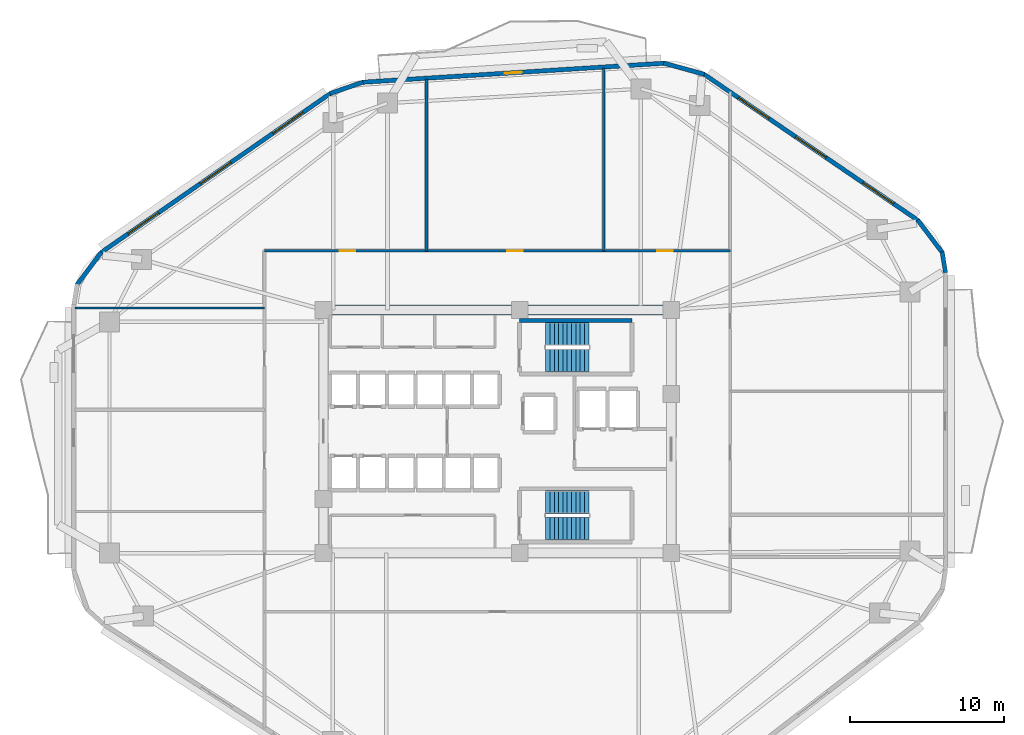
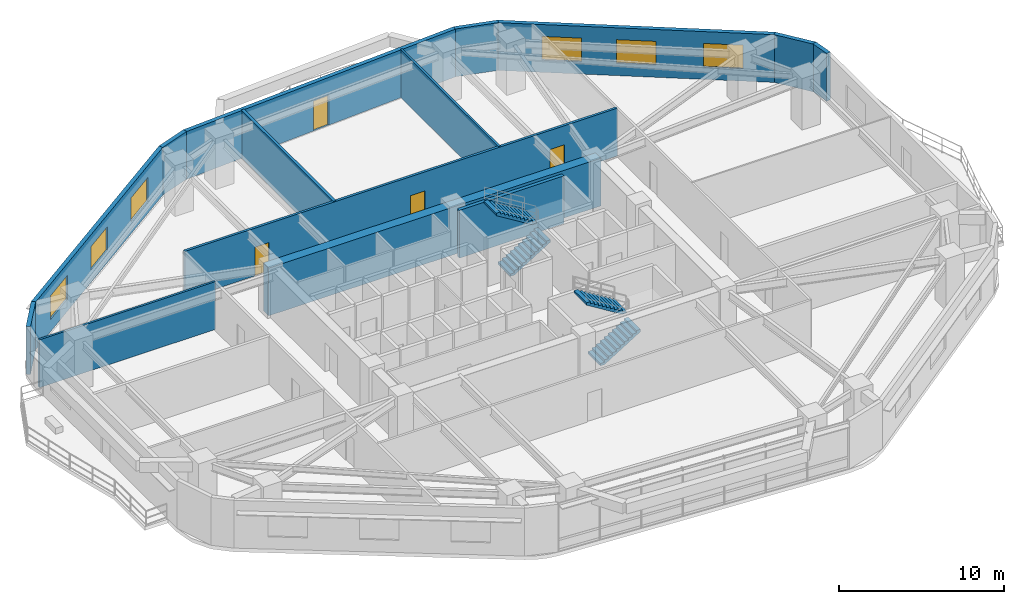
# One storey, part 10 of 13: 14 walls, 6 windows, 4 doors, 4 stair flights, 10 openings, 2 elements without a shape of their own.
"""IFC4 building model written with IfcOpenShell, lengths in metres."""

from ifc_helpers import new_model, si_unit, direction, frame, frame_2d, origin, place, context, subcontext, project, spatial, polyline, rectangle, outline, extrude, material, layer, layer_set, type_object, element, fill, aggregate, save


model = new_model("IFC4")

# Units and contexts
model_context = context("Model", 3, precision=1e-05, world=origin(), true_north=direction((0.0, 1.0)))
body_context = subcontext(model_context, "Body", "Model", "MODEL_VIEW")
ifc_project = project(units=[si_unit("LENGTHUNIT", "METRE"), si_unit("AREAUNIT", "SQUARE_METRE"), si_unit("VOLUMEUNIT", "CUBIC_METRE"), si_unit("PLANEANGLEUNIT", "RADIAN"), si_unit("MASSUNIT", "GRAM", prefix="KILO")], contexts=[model_context])

# Site, building, storey
site_placement = place(None, origin())
site = spatial("IfcSite", under=ifc_project, at=site_placement, CompositionType="ELEMENT")
building_placement = place(site_placement, origin())
building = spatial("IfcBuilding", under=site, at=building_placement, Name="Zulverin Broadcast Headquarters", CompositionType="ELEMENT")
storey_placement = place(building_placement, frame((0.0, 0.0, 47.800048828125)))
storey = spatial("IfcBuildingStorey", under=building, at=storey_placement, Name="L11", CompositionType="ELEMENT", Elevation=47.800048828125)

# Walls
ifc_material_1 = material(Name="Acoustic drywall steel stud", Category="steel")
ifc_layer_1 = layer(ifc_material_1, 0.199951171875, Name="Acoustic drywall steel stud", Category="steel")
ifc_layer_set_1 = layer_set([ifc_layer_1], Name="Acoustic drywall steel stud")
wall_type_1 = type_object("IfcWallType", Name="WL-ACOU-200", PredefinedType="PARTITIONING", material=ifc_layer_set_1)
wall_1_placement = place(storey_placement, frame((32.39990234375, 36.90087890625, 0.0), z_axis=(0.0, 0.0, 1.0), x_axis=(0.0, 1.0, 0.0)))
element("IfcWall", 1, at=wall_1_placement, inside=storey, type_object=wall_type_1, Name="L11 Room Partition Wall RP-03", PredefinedType="PARTITIONING", context=body_context, shape_type="SweptSolid", body=[
    extrude(rectangle(XDim=11.130615234375, YDim=0.199951171875, at=frame_2d((5.5654296875, 0.0))), origin(), (0.0, 0.0, 1.0), 3.52490234375),
])
ifc_material_2 = material(Name="Concrete C60/75", Category="concrete")
ifc_layer_2 = layer(ifc_material_2, 0.64990234375, Name="Concrete C60/75", Category="concrete")
ifc_layer_set_2 = layer_set([ifc_layer_2], Name="Concrete C60/75")
wall_type_2 = type_object("IfcWallType", Name="WL-CORE-650", PredefinedType="SHEAR", material=ifc_layer_set_2)
wall_2_placement = place(storey_placement, frame((25.39990234375, 33.074951171875, 0.0), z_axis=(0.0, 0.0, 1.0), x_axis=(1.0, 0.0, 0.0)))
element("IfcWall", 2, at=wall_2_placement, inside=storey, type_object=wall_type_2, Name="L11 Core North Shear Wall", PredefinedType="SHEAR", context=body_context, shape_type="SweptSolid", body=[
    extrude(rectangle(XDim=23.2001953125, YDim=0.64990234375, at=frame_2d((11.60009765625, 0.0))), origin(), (0.0, 0.0, 1.0), 3.52490234375),
])

# Wall, openings, windows
ifc_material_3 = material(Name="Insulated pale-metal clad concrete spandrel C40/50", Category="concrete")
ifc_layer_3 = layer(ifc_material_3, 0.280029296875, Name="Insulated pale-metal clad concrete spandrel C40/50", Category="concrete")
ifc_layer_set_3 = layer_set([ifc_layer_3], Name="Insulated pale-metal clad concrete spandrel C40/50")
wall_type_3 = type_object("IfcWallType", Name="WL-EXT-280", PredefinedType="STANDARD", material=ifc_layer_set_3)
wall_3_placement = place(storey_placement, frame((64.289794921875, 38.8671875, 0.0), z_axis=(0.0, 0.0, 1.0), x_axis=(-0.825755550159, 0.564028165416, 0.0)))
wall_3 = element("IfcWall", 3, at=wall_3_placement, inside=storey, type_object=wall_type_3, Name="L11 Pale-Metal Clad Spandrel Wall 4", PredefinedType="STANDARD", context=body_context, shape_type="SweptSolid", body=[
    extrude(rectangle(XDim=16.848388671875, YDim=0.280029296875, at=frame_2d((8.42431640625, 0.0))), origin(), (0.0, 0.0, 1.0), 3.52490234375),
])
opening_1_placement = place(wall_3_placement, frame((1.94140625, 0.0, 0.89990234375)))
opening_1 = element("IfcOpeningElement", 4, at=opening_1_placement, cuts=wall_3, Name="Opening W-L11-E41", PredefinedType="OPENING", context=body_context, shape_type="SweptSolid", body=[
    extrude(rectangle(XDim=2.39990234375, YDim=1.75, at=frame_2d((1.199951171875, 0.875))), frame((0.0, 0.14990234375, 0.0), z_axis=(0.0, -1.0, 0.0), x_axis=(1.0, 0.0, 0.0)), (0.0, 0.0, 1.0), 0.300048828125),
])
opening_2_placement = place(wall_3_placement, frame((7.22412109375, 0.0, 0.89990234375)))
opening_2 = element("IfcOpeningElement", 5, at=opening_2_placement, cuts=wall_3, Name="Opening W-L11-E42", PredefinedType="OPENING", context=body_context, shape_type="SweptSolid", body=[
    extrude(rectangle(XDim=2.39990234375, YDim=1.75, at=frame_2d((1.199951171875, 0.875))), frame((0.0, 0.14990234375, 0.0), z_axis=(0.0, -1.0, 0.0), x_axis=(1.0, 0.0, 0.0)), (0.0, 0.0, 1.0), 0.300048828125),
])
opening_3_placement = place(wall_3_placement, frame((11.726806640625, 0.0, 0.89990234375)))
opening_3 = element("IfcOpeningElement", 6, at=opening_3_placement, cuts=wall_3, Name="Opening W-L11-E43", PredefinedType="OPENING", context=body_context, shape_type="SweptSolid", body=[
    extrude(rectangle(XDim=2.39990234375, YDim=1.75, at=frame_2d((1.199951171875, 0.875))), frame((0.0, 0.14990234375, 0.0), z_axis=(0.0, -1.0, 0.0), x_axis=(1.0, 0.0, 0.0)), (0.0, 0.0, 1.0), 0.300048828125),
])
ifc_material_4 = material(Name="Pale anodized aluminium frame with solar-control low-E double glazing", Category="aluminium")
window_type = type_object("IfcWindowType", Name="WIN-RIB-2400", PartitioningType="SINGLE_PANEL", PredefinedType="WINDOW", material=ifc_material_4)
window_1_placement = place(opening_1_placement, origin())
window_1 = element("IfcWindow", 7, at=window_1_placement, inside=storey, type_object=window_type, Name="L11 Ribbon Glazing Window 4 1", OverallHeight=1.75, OverallWidth=2.39990234375, PartitioningType="SINGLE_PANEL", PredefinedType="WINDOW", context=body_context, shape_type="SweptSolid", body=[
    extrude(rectangle(XDim=2.39990234375, YDim=1.75, at=frame_2d((1.199951171875, 0.875))), frame((0.0, 0.030029296875, 0.0), z_axis=(0.0, -1.0, 0.0), x_axis=(1.0, 0.0, 0.0)), (0.0, 0.0, 1.0), 0.06005859375),
])
fill(opening_1, window_1)
window_2_placement = place(opening_2_placement, origin())
window_2 = element("IfcWindow", 8, at=window_2_placement, inside=storey, type_object=window_type, Name="L11 Ribbon Glazing Window 4 2", OverallHeight=1.75, OverallWidth=2.39990234375, PartitioningType="SINGLE_PANEL", PredefinedType="WINDOW", context=body_context, shape_type="SweptSolid", body=[
    extrude(rectangle(XDim=2.39990234375, YDim=1.75, at=frame_2d((1.199951171875, 0.875))), frame((0.0, 0.030029296875, 0.0), z_axis=(0.0, -1.0, 0.0), x_axis=(1.0, 0.0, 0.0)), (0.0, 0.0, 1.0), 0.06005859375),
])
fill(opening_2, window_2)
window_3_placement = place(opening_3_placement, origin())
window_3 = element("IfcWindow", 9, at=window_3_placement, inside=storey, type_object=window_type, Name="L11 Ribbon Glazing Window 4 3", OverallHeight=1.75, OverallWidth=2.39990234375, PartitioningType="SINGLE_PANEL", PredefinedType="WINDOW", context=body_context, shape_type="SweptSolid", body=[
    extrude(rectangle(XDim=2.39990234375, YDim=1.75, at=frame_2d((1.199951171875, 0.875))), frame((0.0, 0.030029296875, 0.0), z_axis=(0.0, -1.0, 0.0), x_axis=(1.0, 0.0, 0.0)), (0.0, 0.0, 1.0), 0.06005859375),
])
fill(opening_3, window_3)

# Wall, opening, door
wall_4_placement = place(storey_placement, frame((47.831787109375, 49.0693359375, 0.0), z_axis=(0.0, 0.0, 1.0), x_axis=(-0.998017725054, -0.062933460723, 0.0)))
wall_4 = element("IfcWall", 10, at=wall_4_placement, inside=storey, type_object=wall_type_3, Name="L11 Pale-Metal Clad Spandrel Wall 5", PredefinedType="STANDARD", context=body_context, shape_type="SweptSolid", body=[
    extrude(rectangle(XDim=19.62939453125, YDim=0.280029296875, at=frame_2d((9.814697265625, 0.0))), origin(), (0.0, 0.0, 1.0), 3.52490234375),
])
opening_4_placement = place(wall_4_placement, frame((9.264892578125, 0.0, 0.0)))
opening_4 = element("IfcOpeningElement", 11, at=opening_4_placement, cuts=wall_4, Name="Opening D-L11-TR5", PredefinedType="OPENING", context=body_context, shape_type="SweptSolid", body=[
    extrude(rectangle(XDim=1.10009765625, YDim=2.199951171875, at=frame_2d((0.550048828125, 1.10009765625))), frame((0.0, 0.14990234375, 0.0), z_axis=(0.0, -1.0, 0.0), x_axis=(1.0, 0.0, 0.0)), (0.0, 0.0, 1.0), 0.300048828125),
])
ifc_material_5 = material(Name="Thermally broken aluminium glazed", Category="aluminium")
door_type_1 = type_object("IfcDoorType", Name="DR-TERR-1100", OperationType="SINGLE_SWING_RIGHT", PredefinedType="DOOR", material=ifc_material_5)
door_1_placement = place(opening_4_placement, origin())
door_1 = element("IfcDoor", 12, at=door_1_placement, inside=storey, type_object=door_type_1, Name="L11 Planted Terrace Glazed Access Door 5", OperationType="SINGLE_SWING_RIGHT", OverallHeight=2.199951171875, OverallWidth=1.10009765625, PredefinedType="DOOR", context=body_context, shape_type="SweptSolid", body=[
    extrude(rectangle(XDim=1.10009765625, YDim=2.199951171875, at=frame_2d((0.550048828125, 1.10009765625))), frame((0.0, 0.02490234375, 0.0), z_axis=(0.0, -1.0, 0.0), x_axis=(1.0, 0.0, 0.0)), (0.0, 0.0, 1.0), 0.050048828125),
])
fill(opening_4, door_1)

# Wall, openings, windows
wall_5_placement = place(storey_placement, frame((26.181884765625, 47.11767578125, 0.0), z_axis=(0.0, 0.0, 1.0), x_axis=(-0.821547956627, -0.570139417127, 0.0)))
wall_5 = element("IfcWall", 13, at=wall_5_placement, inside=storey, type_object=wall_type_3, Name="L11 Pale-Metal Clad Spandrel Wall 6", PredefinedType="STANDARD", context=body_context, shape_type="SweptSolid", body=[
    extrude(rectangle(XDim=18.13232421875, YDim=0.280029296875, at=frame_2d((9.066162109375, 0.0))), origin(), (0.0, 0.0, 1.0), 3.52490234375),
])
opening_5_placement = place(wall_5_placement, frame((2.155517578125, 0.0, 0.89990234375)))
opening_5 = element("IfcOpeningElement", 14, at=opening_5_placement, cuts=wall_5, Name="Opening W-L11-E61", PredefinedType="OPENING", context=body_context, shape_type="SweptSolid", body=[
    extrude(rectangle(XDim=2.39990234375, YDim=1.75, at=frame_2d((1.199951171875, 0.875))), frame((0.0, 0.14990234375, 0.0), z_axis=(0.0, -1.0, 0.0), x_axis=(1.0, 0.0, 0.0)), (0.0, 0.0, 1.0), 0.300048828125),
])
opening_6_placement = place(wall_5_placement, frame((7.8662109375, 0.0, 0.89990234375)))
opening_6 = element("IfcOpeningElement", 15, at=opening_6_placement, cuts=wall_5, Name="Opening W-L11-E62", PredefinedType="OPENING", context=body_context, shape_type="SweptSolid", body=[
    extrude(rectangle(XDim=2.39990234375, YDim=1.75, at=frame_2d((1.199951171875, 0.875))), frame((0.0, 0.14990234375, 0.0), z_axis=(0.0, -1.0, 0.0), x_axis=(1.0, 0.0, 0.0)), (0.0, 0.0, 1.0), 0.300048828125),
])
opening_7_placement = place(wall_5_placement, frame((13.576904296875, 0.0, 0.89990234375)))
opening_7 = element("IfcOpeningElement", 16, at=opening_7_placement, cuts=wall_5, Name="Opening W-L11-E63", PredefinedType="OPENING", context=body_context, shape_type="SweptSolid", body=[
    extrude(rectangle(XDim=2.39990234375, YDim=1.75, at=frame_2d((1.199951171875, 0.875))), frame((0.0, 0.14990234375, 0.0), z_axis=(0.0, -1.0, 0.0), x_axis=(1.0, 0.0, 0.0)), (0.0, 0.0, 1.0), 0.300048828125),
])
window_4_placement = place(opening_5_placement, origin())
window_4 = element("IfcWindow", 17, at=window_4_placement, inside=storey, type_object=window_type, Name="L11 Ribbon Glazing Window 6 1", OverallHeight=1.75, OverallWidth=2.39990234375, PartitioningType="SINGLE_PANEL", PredefinedType="WINDOW", context=body_context, shape_type="SweptSolid", body=[
    extrude(rectangle(XDim=2.39990234375, YDim=1.75, at=frame_2d((1.199951171875, 0.875))), frame((0.0, 0.030029296875, 0.0), z_axis=(0.0, -1.0, 0.0), x_axis=(1.0, 0.0, 0.0)), (0.0, 0.0, 1.0), 0.06005859375),
])
fill(opening_5, window_4)
window_5_placement = place(opening_6_placement, origin())
window_5 = element("IfcWindow", 18, at=window_5_placement, inside=storey, type_object=window_type, Name="L11 Ribbon Glazing Window 6 2", OverallHeight=1.75, OverallWidth=2.39990234375, PartitioningType="SINGLE_PANEL", PredefinedType="WINDOW", context=body_context, shape_type="SweptSolid", body=[
    extrude(rectangle(XDim=2.39990234375, YDim=1.75, at=frame_2d((1.199951171875, 0.875))), frame((0.0, 0.030029296875, 0.0), z_axis=(0.0, -1.0, 0.0), x_axis=(1.0, 0.0, 0.0)), (0.0, 0.0, 1.0), 0.06005859375),
])
fill(opening_6, window_5)
window_6_placement = place(opening_7_placement, origin())
window_6 = element("IfcWindow", 19, at=window_6_placement, inside=storey, type_object=window_type, Name="L11 Ribbon Glazing Window 6 3", OverallHeight=1.75, OverallWidth=2.39990234375, PartitioningType="SINGLE_PANEL", PredefinedType="WINDOW", context=body_context, shape_type="SweptSolid", body=[
    extrude(rectangle(XDim=2.39990234375, YDim=1.75, at=frame_2d((1.199951171875, 0.875))), frame((0.0, 0.030029296875, 0.0), z_axis=(0.0, -1.0, 0.0), x_axis=(1.0, 0.0, 0.0)), (0.0, 0.0, 1.0), 0.06005859375),
])
fill(opening_7, window_6)

# Walls
wall_6_placement = place(storey_placement, frame((66.061767578125, 35.491943359375, 0.0), z_axis=(0.0, 0.0, 1.0), x_axis=(-0.161182073582, 0.986924687682, 0.0)))
element("IfcWall", 20, at=wall_6_placement, inside=storey, type_object=wall_type_3, Name="L11 Wind-Shaped Corner Spandrel Wall 3-1", PredefinedType="STANDARD", context=body_context, shape_type="SweptSolid", body=[
    extrude(rectangle(XDim=1.354248046875, YDim=0.280029296875, at=frame_2d((0.67724609375, 0.0))), origin(), (0.0, 0.0, 1.0), 3.52490234375),
])
wall_7_placement = place(storey_placement, frame((65.8701171875, 36.7666015625, 0.0), z_axis=(0.0, 0.0, 1.0), x_axis=(-0.603370463754, 0.797461023166, 0.0)))
element("IfcWall", 21, at=wall_7_placement, inside=storey, type_object=wall_type_3, Name="L11 Wind-Shaped Corner Spandrel Wall 3-2", PredefinedType="STANDARD", context=body_context, shape_type="SweptSolid", body=[
    extrude(rectangle(XDim=2.6728515625, YDim=0.280029296875, at=frame_2d((1.33642578125, 0.0))), origin(), (0.0, 0.0, 1.0), 3.52490234375),
])
wall_8_placement = place(storey_placement, frame((50.419189453125, 48.3505859375, 0.0), z_axis=(0.0, 0.0, 1.0), x_axis=(-0.964254516967, 0.264977784933, 0.0)))
element("IfcWall", 22, at=wall_8_placement, inside=storey, type_object=wall_type_3, Name="L11 Wind-Shaped Corner Spandrel Wall 4-1", PredefinedType="STANDARD", context=body_context, shape_type="SweptSolid", body=[
    extrude(rectangle(XDim=2.73095703125, YDim=0.280029296875, at=frame_2d((1.365478515625, 0.0))), origin(), (0.0, 0.0, 1.0), 3.52490234375),
])
wall_9_placement = place(storey_placement, frame((28.2783203125, 47.841552734375, 0.0), z_axis=(0.0, 0.0, 1.0), x_axis=(-0.9444559001, -0.328638179106, 0.0)))
element("IfcWall", 23, at=wall_9_placement, inside=storey, type_object=wall_type_3, Name="L11 Wind-Shaped Corner Spandrel Wall 5-1", PredefinedType="STANDARD", context=body_context, shape_type="SweptSolid", body=[
    extrude(rectangle(XDim=2.25537109375, YDim=0.280029296875, at=frame_2d((1.127685546875, 0.0))), origin(), (0.0, 0.0, 1.0), 3.52490234375),
])
wall_10_placement = place(storey_placement, frame((11.317626953125, 36.81103515625, 0.0), z_axis=(0.0, 0.0, 1.0), x_axis=(-0.599455152629, -0.800408345775, 0.0)))
element("IfcWall", 24, at=wall_10_placement, inside=storey, type_object=wall_type_3, Name="L11 Wind-Shaped Corner Spandrel Wall 6-1", PredefinedType="STANDARD", context=body_context, shape_type="SweptSolid", body=[
    extrude(rectangle(XDim=2.6533203125, YDim=0.280029296875, at=frame_2d((1.32666015625, 0.0))), origin(), (0.0, 0.0, 1.0), 3.52490234375),
])
ifc_material_6 = material(Name="Fire-rated gypsum stud partition", Category="gypsum")
ifc_layer_4 = layer(ifc_material_6, 0.14990234375, Name="Fire-rated gypsum stud partition", Category="gypsum")
ifc_layer_set_4 = layer_set([ifc_layer_4], Name="Fire-rated gypsum stud partition")
wall_type_4 = type_object("IfcWallType", Name="WL-PART-150", PredefinedType="PARTITIONING", material=ifc_layer_set_4)
wall_11_placement = place(storey_placement, frame((43.89990234375, 36.89990234375, 0.0), z_axis=(0.0, 0.0, 1.0), x_axis=(0.0, 1.0, 0.0)))
element("IfcWall", 25, at=wall_11_placement, inside=storey, type_object=wall_type_4, Name="L11 Room Partition Wall RP-02", PredefinedType="PARTITIONING", context=body_context, shape_type="SweptSolid", body=[
    extrude(rectangle(XDim=11.856689453125, YDim=0.14990234375, at=frame_2d((5.92822265625, 0.0))), origin(), (0.0, 0.0, 1.0), 3.52490234375),
])
wall_12_placement = place(storey_placement, frame((9.60498046875, 33.199951171875, 0.0), z_axis=(0.0, 0.0, 1.0), x_axis=(1.0, 0.0, 0.0)))
element("IfcWall", 26, at=wall_12_placement, inside=storey, type_object=wall_type_4, Name="L11 Room Partition Wall RP-11", PredefinedType="PARTITIONING", context=body_context, shape_type="SweptSolid", body=[
    extrude(rectangle(XDim=12.2939453125, YDim=0.14990234375, at=frame_2d((6.14697265625, 0.0))), origin(), (0.0, 0.0, 1.0), 3.52490234375),
])

# Wall, openings, doors
ifc_material_7 = material(Name="Fire-rated acoustic stud wall", Category="gypsum")
ifc_layer_5 = layer(ifc_material_7, 0.175048828125, Name="Fire-rated acoustic stud wall", Category="gypsum")
ifc_layer_set_5 = layer_set([ifc_layer_5], Name="Fire-rated acoustic stud wall")
wall_type_5 = type_object("IfcWallType", Name="WL-PART-175", PredefinedType="PARTITIONING", material=ifc_layer_set_5)
wall_13_placement = place(storey_placement, frame((21.89990234375, 36.89990234375, 0.0), z_axis=(0.0, 0.0, 1.0), x_axis=(1.0, 0.0, 0.0)))
wall_13 = element("IfcWall", 27, at=wall_13_placement, inside=storey, type_object=wall_type_5, Name="L11 Gallery Partition Wall CG-12", PredefinedType="PARTITIONING", context=body_context, shape_type="SweptSolid", body=[
    extrude(rectangle(XDim=30.2001953125, YDim=0.175048828125, at=frame_2d((15.10009765625, 0.0))), origin(), (0.0, 0.0, 1.0), 3.52490234375),
])
opening_8_placement = place(wall_13_placement, frame((4.8701171875, 0.0, 0.0)))
opening_8 = element("IfcOpeningElement", 28, at=opening_8_placement, cuts=wall_13, Name="Opening D-L11-01", PredefinedType="OPENING", context=body_context, shape_type="SweptSolid", body=[
    extrude(rectangle(XDim=1.0, YDim=2.1201171875, at=frame_2d((0.5, 1.06005859375))), frame((0.0, 0.097412109375, 0.0), z_axis=(0.0, -1.0, 0.0), x_axis=(1.0, 0.0, 0.0)), (0.0, 0.0, 1.0), 0.195068359375),
])
opening_9_placement = place(wall_13_placement, frame((15.75, 0.0, 0.0)))
opening_9 = element("IfcOpeningElement", 29, at=opening_9_placement, cuts=wall_13, Name="Opening D-L11-02", PredefinedType="OPENING", context=body_context, shape_type="SweptSolid", body=[
    extrude(rectangle(XDim=1.0, YDim=2.1201171875, at=frame_2d((0.5, 1.06005859375))), frame((0.0, 0.097412109375, 0.0), z_axis=(0.0, -1.0, 0.0), x_axis=(1.0, 0.0, 0.0)), (0.0, 0.0, 1.0), 0.195068359375),
])
opening_10_placement = place(wall_13_placement, frame((25.47998046875, 0.0, 0.0)))
opening_10 = element("IfcOpeningElement", 30, at=opening_10_placement, cuts=wall_13, Name="Opening D-L11-03", PredefinedType="OPENING", context=body_context, shape_type="SweptSolid", body=[
    extrude(rectangle(XDim=1.0, YDim=2.1201171875, at=frame_2d((0.5, 1.06005859375))), frame((0.0, 0.097412109375, 0.0), z_axis=(0.0, -1.0, 0.0), x_axis=(1.0, 0.0, 0.0)), (0.0, 0.0, 1.0), 0.195068359375),
])
ifc_material_8 = material(Name="Hardwood veneer acoustic leaf", Category="wood")
door_type_2 = type_object("IfcDoorType", Name="DR-OFF-1000", OperationType="SINGLE_SWING_LEFT", PredefinedType="DOOR", material=ifc_material_8)
door_2_placement = place(opening_8_placement, origin())
door_2 = element("IfcDoor", 31, at=door_2_placement, inside=storey, type_object=door_type_2, Name="L11 Correspondent Office Door", OperationType="SINGLE_SWING_RIGHT", OverallHeight=2.1201171875, OverallWidth=1.0, PredefinedType="DOOR", context=body_context, shape_type="SweptSolid", body=[
    extrude(rectangle(XDim=1.0, YDim=2.1201171875, at=frame_2d((0.5, 1.06005859375))), frame((0.0, 0.02490234375, 0.0), z_axis=(0.0, -1.0, 0.0), x_axis=(1.0, 0.0, 0.0)), (0.0, 0.0, 1.0), 0.050048828125),
])
fill(opening_8, door_2)
door_3_placement = place(opening_9_placement, origin())
door_3 = element("IfcDoor", 32, at=door_3_placement, inside=storey, type_object=door_type_2, Name="L11 Producer Office Door", OperationType="SINGLE_SWING_LEFT", OverallHeight=2.1201171875, OverallWidth=1.0, PredefinedType="DOOR", context=body_context, shape_type="SweptSolid", body=[
    extrude(rectangle(XDim=1.0, YDim=2.1201171875, at=frame_2d((0.5, 1.06005859375))), frame((0.0, 0.02490234375, 0.0), z_axis=(0.0, -1.0, 0.0), x_axis=(1.0, 0.0, 0.0)), (0.0, 0.0, 1.0), 0.050048828125),
])
fill(opening_9, door_3)
door_4_placement = place(opening_10_placement, origin())
door_4 = element("IfcDoor", 33, at=door_4_placement, inside=storey, type_object=door_type_2, Name="L11 Assignment Office Door", OperationType="SINGLE_SWING_RIGHT", OverallHeight=2.1201171875, OverallWidth=1.0, PredefinedType="DOOR", context=body_context, shape_type="SweptSolid", body=[
    extrude(rectangle(XDim=1.0, YDim=2.1201171875, at=frame_2d((0.5, 1.06005859375))), frame((0.0, 0.02490234375, 0.0), z_axis=(0.0, -1.0, 0.0), x_axis=(1.0, 0.0, 0.0)), (0.0, 0.0, 1.0), 0.050048828125),
])
fill(opening_10, door_4)

# Wall
ifc_material_9 = material(Name="Concrete C50/60", Category="concrete")
ifc_layer_6 = layer(ifc_material_9, 0.25, Name="Concrete C50/60", Category="concrete")
ifc_layer_set_6 = layer_set([ifc_layer_6], Name="Concrete C50/60")
wall_type_6 = type_object("IfcWallType", Name="WL-SHAFT-250", PredefinedType="SHEAR", material=ifc_layer_set_6)
wall_14_placement = place(storey_placement, frame((38.425048828125, 32.375, 0.0), z_axis=(0.0, 0.0, 1.0), x_axis=(1.0, 0.0, 0.0)))
element("IfcWall", 34, at=wall_14_placement, inside=storey, type_object=wall_type_6, Name="L11 ST-1 Enclosure Wall N", PredefinedType="SHEAR", context=body_context, shape_type="SweptSolid", body=[
    extrude(rectangle(XDim=7.300048828125, YDim=0.25, at=frame_2d((3.64990234375, 0.0))), origin(), (0.0, 0.0, 1.0), 3.52490234375),
])

# Stair, stair flights
ifc_material_10 = material(Name="Concrete C40/50", Category="concrete")
stair_type = type_object("IfcStairType", Name="ST-CORE-1500", PredefinedType="HALF_TURN_STAIR", material=ifc_material_10)
stair_1_placement = place(storey_placement, origin())
stair_1 = element("IfcStair", 35, at=stair_1_placement, inside=storey, type_object=stair_type, Name="L11 Core Exit Stair ST-1", PredefinedType="HALF_TURN_STAIR")
stair_flight_type = type_object("IfcStairFlightType", Name="SF-CORE-1500", PredefinedType="STRAIGHT", material=ifc_material_10)
stair_flight_1_placement = place(storey_placement, frame((40.1298828125, 29.800048828125, 0.0), z_axis=(0.0, 0.0, 1.0), x_axis=(1.0, 0.0, 0.0)))
stair_flight_1 = element("IfcStairFlight", 36, at=stair_flight_1_placement, type_object=stair_flight_type, Name="ST-1 flight 1", NumberOfRisers=11, NumberOfTreads=10, PredefinedType="STRAIGHT", RiserHeight=0.172727273, TreadLength=0.28, context=body_context, shape_type="SweptSolid", body=[
    extrude(outline(polyline([(0.0, 0.0), (0.0, 0.172607421875), (0.280029296875, 0.172607421875), (0.280029296875, 0.345458984375), (0.56005859375, 0.345458984375), (0.56005859375, 0.51806640625), (0.840087890625, 0.51806640625), (0.840087890625, 0.69091796875), (1.1201171875, 0.69091796875), (1.1201171875, 0.863525390625), (1.39990234375, 0.863525390625), (1.39990234375, 1.036376953125), (1.679931640625, 1.036376953125), (1.679931640625, 1.208984375), (1.9599609375, 1.208984375), (1.9599609375, 1.3818359375), (2.239990234375, 1.3818359375), (2.239990234375, 1.554443359375), (2.52001953125, 1.554443359375), (2.52001953125, 1.727294921875), (2.800048828125, 1.727294921875), (2.800048828125, 1.89990234375), (2.800048828125, 1.551025390625), (0.285400390625, 0.0), (0.0, 0.0)])), frame((0.0, 0.75, 0.0), z_axis=(0.0, -1.0, 0.0), x_axis=(1.0, 0.0, 0.0)), (0.0, 0.0, 1.0), 1.5),
])
stair_flight_2_placement = place(storey_placement, frame((42.929931640625, 31.5, 1.89990234375), z_axis=(0.0, 0.0, 1.0), x_axis=(-1.0, 0.0, 0.0)))
stair_flight_2 = element("IfcStairFlight", 37, at=stair_flight_2_placement, type_object=stair_flight_type, Name="ST-1 flight 2", NumberOfRisers=11, NumberOfTreads=10, PredefinedType="STRAIGHT", RiserHeight=0.172727273, TreadLength=0.28, context=body_context, shape_type="SweptSolid", body=[
    extrude(outline(polyline([(0.0, 0.0), (0.0, 0.172607421875), (0.280029296875, 0.172607421875), (0.280029296875, 0.345458984375), (0.56005859375, 0.345458984375), (0.56005859375, 0.51806640625), (0.840087890625, 0.51806640625), (0.840087890625, 0.69091796875), (1.1201171875, 0.69091796875), (1.1201171875, 0.863525390625), (1.39990234375, 0.863525390625), (1.39990234375, 1.036376953125), (1.679931640625, 1.036376953125), (1.679931640625, 1.208984375), (1.9599609375, 1.208984375), (1.9599609375, 1.3818359375), (2.239990234375, 1.3818359375), (2.239990234375, 1.554443359375), (2.52001953125, 1.554443359375), (2.52001953125, 1.727294921875), (2.800048828125, 1.727294921875), (2.800048828125, 1.89990234375), (2.800048828125, 1.551025390625), (0.285400390625, 0.0), (0.0, 0.0)])), frame((0.0, 0.75, 0.0), z_axis=(0.0, -1.0, 0.0), x_axis=(1.0, 0.0, 0.0)), (0.0, 0.0, 1.0), 1.5),
])
aggregate(stair_1, [stair_flight_1, stair_flight_2])

stair_2_placement = place(storey_placement, origin())
stair_2 = element("IfcStair", 38, at=stair_2_placement, inside=storey, type_object=stair_type, Name="L11 Core Exit Stair ST-2", PredefinedType="HALF_TURN_STAIR")
stair_flight_3_placement = place(storey_placement, frame((40.1298828125, 18.89990234375, 0.0), z_axis=(0.0, 0.0, 1.0), x_axis=(1.0, 0.0, 0.0)))
stair_flight_3 = element("IfcStairFlight", 39, at=stair_flight_3_placement, type_object=stair_flight_type, Name="ST-2 flight 1", NumberOfRisers=11, NumberOfTreads=10, PredefinedType="STRAIGHT", RiserHeight=0.172727273, TreadLength=0.28, context=body_context, shape_type="SweptSolid", body=[
    extrude(outline(polyline([(0.0, 0.0), (0.0, 0.172607421875), (0.280029296875, 0.172607421875), (0.280029296875, 0.345458984375), (0.56005859375, 0.345458984375), (0.56005859375, 0.51806640625), (0.840087890625, 0.51806640625), (0.840087890625, 0.69091796875), (1.1201171875, 0.69091796875), (1.1201171875, 0.863525390625), (1.39990234375, 0.863525390625), (1.39990234375, 1.036376953125), (1.679931640625, 1.036376953125), (1.679931640625, 1.208984375), (1.9599609375, 1.208984375), (1.9599609375, 1.3818359375), (2.239990234375, 1.3818359375), (2.239990234375, 1.554443359375), (2.52001953125, 1.554443359375), (2.52001953125, 1.727294921875), (2.800048828125, 1.727294921875), (2.800048828125, 1.89990234375), (2.800048828125, 1.551025390625), (0.285400390625, 0.0), (0.0, 0.0)])), frame((0.0, 0.75, 0.0), z_axis=(0.0, -1.0, 0.0), x_axis=(1.0, 0.0, 0.0)), (0.0, 0.0, 1.0), 1.5),
])
stair_flight_4_placement = place(storey_placement, frame((42.929931640625, 20.60009765625, 1.89990234375), z_axis=(0.0, 0.0, 1.0), x_axis=(-1.0, 0.0, 0.0)))
stair_flight_4 = element("IfcStairFlight", 40, at=stair_flight_4_placement, type_object=stair_flight_type, Name="ST-2 flight 2", NumberOfRisers=11, NumberOfTreads=10, PredefinedType="STRAIGHT", RiserHeight=0.172727273, TreadLength=0.28, context=body_context, shape_type="SweptSolid", body=[
    extrude(outline(polyline([(0.0, 0.0), (0.0, 0.172607421875), (0.280029296875, 0.172607421875), (0.280029296875, 0.345458984375), (0.56005859375, 0.345458984375), (0.56005859375, 0.51806640625), (0.840087890625, 0.51806640625), (0.840087890625, 0.69091796875), (1.1201171875, 0.69091796875), (1.1201171875, 0.863525390625), (1.39990234375, 0.863525390625), (1.39990234375, 1.036376953125), (1.679931640625, 1.036376953125), (1.679931640625, 1.208984375), (1.9599609375, 1.208984375), (1.9599609375, 1.3818359375), (2.239990234375, 1.3818359375), (2.239990234375, 1.554443359375), (2.52001953125, 1.554443359375), (2.52001953125, 1.727294921875), (2.800048828125, 1.727294921875), (2.800048828125, 1.89990234375), (2.800048828125, 1.551025390625), (0.285400390625, 0.0), (0.0, 0.0)])), frame((0.0, 0.75, 0.0), z_axis=(0.0, -1.0, 0.0), x_axis=(1.0, 0.0, 0.0)), (0.0, 0.0, 1.0), 1.5),
])
aggregate(stair_2, [stair_flight_3, stair_flight_4])

save(model, "model.ifc")
